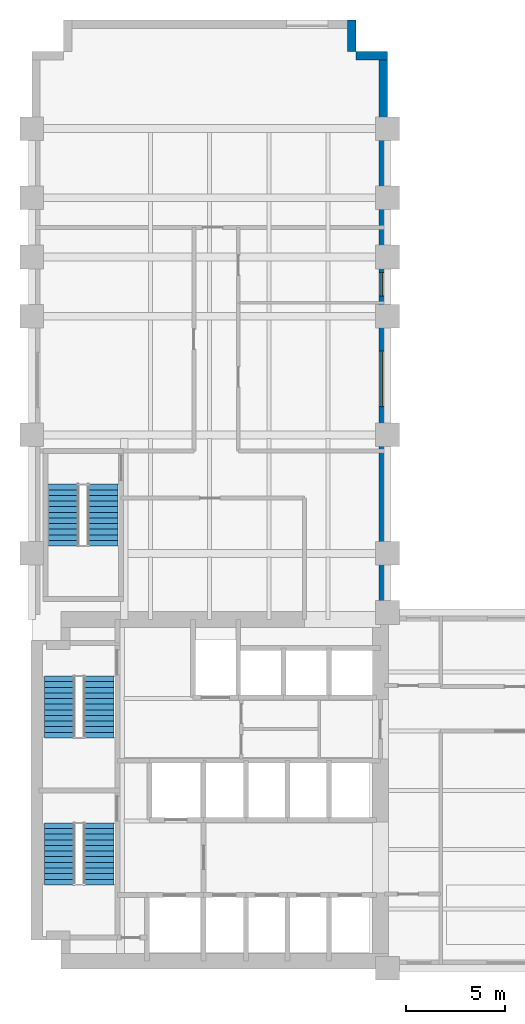
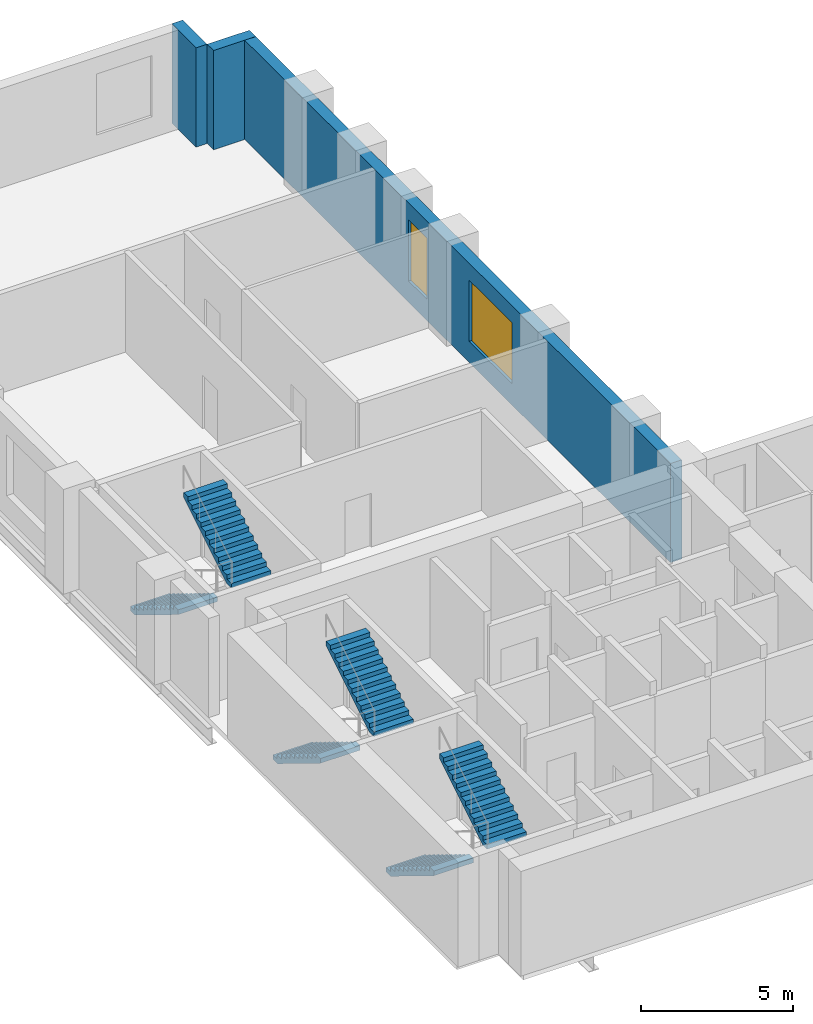
# One storey, part 6 of 7: 6 stair flights, 3 walls, 2 windows, 2 openings, 3 elements without a shape of their own.
"""IFC4 building model written with IfcOpenShell, lengths in metres."""

from ifc_helpers import new_model, si_unit, direction, frame, frame_2d, origin, place, context, subcontext, project, spatial, polyline, rectangle, outline, extrude, material, layer, layer_set, type_object, element, fill, aggregate, save


model = new_model("IFC4")

# Units and contexts
model_context = context("Model", 3, precision=1e-05, world=origin(), true_north=direction((0.0, 1.0)))
body_context = subcontext(model_context, "Body", "Model", "MODEL_VIEW")
ifc_project = project(units=[si_unit("LENGTHUNIT", "METRE"), si_unit("AREAUNIT", "SQUARE_METRE"), si_unit("VOLUMEUNIT", "CUBIC_METRE"), si_unit("PLANEANGLEUNIT", "RADIAN"), si_unit("MASSUNIT", "GRAM", prefix="KILO")], contexts=[model_context])

# Site, building, storey
site_placement = place(None, origin())
site = spatial("IfcSite", under=ifc_project, at=site_placement, CompositionType="ELEMENT")
building_placement = place(site_placement, origin())
building = spatial("IfcBuilding", under=site, at=building_placement, Name="Mawjdan Bourse Tower", CompositionType="ELEMENT")
storey_placement = place(building_placement, frame((0.0, 0.0, 67.800048828125)))
storey = spatial("IfcBuildingStorey", under=building, at=storey_placement, Name="L15", CompositionType="ELEMENT", Elevation=67.800048828125)

# Wall, openings, windows
ifc_material_1 = material(Name="Brick Masonry Buff", Category="masonry")
ifc_layer = layer(ifc_material_1, 0.419921875)
ifc_layer_set = layer_set([ifc_layer], Name="Brick Masonry Buff")
wall_type = type_object("IfcWallType", Name="WL-BRK-BUFF-420", PredefinedType="STANDARD", material=ifc_layer_set)
wall_placement = place(storey_placement, frame((23.7900390625, 21.0, 0.0), z_axis=(0.0, 0.0, 1.0), x_axis=(0.0, 1.0, 0.0)))
wall = element("IfcWall", 1, at=wall_placement, inside=storey, type_object=wall_type, Name="L15 Exterior Brick Wall 8", PredefinedType="STANDARD", context=body_context, shape_type="SweptSolid", body=[
    extrude(rectangle(XDim=28.39990234375, YDim=0.419921875, at=frame_2d((14.199951171875, 0.0))), origin(), (0.0, 0.0, 1.0), 3.97998046875),
])
opening_1_placement = place(wall_placement, frame((10.433349609375, 0.0, 0.85009765625)))
opening_1 = element("IfcOpeningElement", 2, at=opening_1_placement, cuts=wall, Name="Opening W-L15-04", PredefinedType="OPENING", context=body_context, shape_type="SweptSolid", body=[
    extrude(rectangle(XDim=2.800048828125, YDim=2.449951171875, at=frame_2d((1.39990234375, 1.22509765625))), frame((0.0, 0.219970703125, 0.0), z_axis=(0.0, -1.0, 0.0), x_axis=(1.0, 0.0, 0.0)), (0.0, 0.0, 1.0), 0.43994140625),
])
opening_2_placement = place(wall_placement, frame((16.01611328125, 0.0, 0.85009765625)))
opening_2 = element("IfcOpeningElement", 3, at=opening_2_placement, cuts=wall, Name="Opening W-L15-15", PredefinedType="OPENING", context=body_context, shape_type="SweptSolid", body=[
    extrude(rectangle(XDim=1.199951171875, YDim=2.449951171875, at=frame_2d((0.60009765625, 1.22509765625))), frame((0.0, 0.219970703125, 0.0), z_axis=(0.0, -1.0, 0.0), x_axis=(1.0, 0.0, 0.0)), (0.0, 0.0, 1.0), 0.43994140625),
])
ifc_material_2 = material(Name="Solar-Control Clear Double Glazing", Category="glass")
window_type_1 = type_object("IfcWindowType", Name="WN-TRD-1200", PartitioningType="SINGLE_PANEL", PredefinedType="WINDOW", material=ifc_material_2)
window_1_placement = place(opening_2_placement, origin())
window_1 = element("IfcWindow", 4, at=window_1_placement, inside=storey, type_object=window_type_1, Name="L15 Deep-Set Masonry Window W-L15-15", OverallHeight=2.449951171875, OverallWidth=1.199951171875, PartitioningType="SINGLE_PANEL", PredefinedType="WINDOW", context=body_context, shape_type="SweptSolid", body=[
    extrude(rectangle(XDim=1.199951171875, YDim=2.449951171875, at=frame_2d((0.60009765625, 1.22509765625))), frame((0.0, 0.110107421875, 0.0), z_axis=(0.0, -1.0, 0.0), x_axis=(1.0, 0.0, 0.0)), (0.0, 0.0, 1.0), 0.06005859375),
])
fill(opening_2, window_1)
window_type_2 = type_object("IfcWindowType", Name="WN-TRD-2800", PartitioningType="SINGLE_PANEL", PredefinedType="WINDOW", material=ifc_material_2)
window_2_placement = place(opening_1_placement, origin())
window_2 = element("IfcWindow", 5, at=window_2_placement, inside=storey, type_object=window_type_2, Name="L15 Deep-Set Masonry Window W-L15-04", OverallHeight=2.449951171875, OverallWidth=2.800048828125, PartitioningType="SINGLE_PANEL", PredefinedType="WINDOW", context=body_context, shape_type="SweptSolid", body=[
    extrude(rectangle(XDim=2.800048828125, YDim=2.449951171875, at=frame_2d((1.39990234375, 1.22509765625))), frame((0.0, 0.110107421875, 0.0), z_axis=(0.0, -1.0, 0.0), x_axis=(1.0, 0.0, 0.0)), (0.0, 0.0, 1.0), 0.06005859375),
])
fill(opening_1, window_2)

# Walls
for number, where, z_axis, x_axis, name in (
    (6, (24.0, 49.18994140625, 0.0), (0.0, 0.0, 1.0), (-1.0, 0.0, 0.0), "L15 Exterior Brick Wall 9"),
    (7, (22.18994140625, 49.39990234375, 0.0), (0.0, 0.0, 1.0), (0.0, 1.0, 0.0), "L15 Exterior Brick Wall 10"),
):
    element("IfcWall", number, at=place(storey_placement, frame(where, z_axis=z_axis, x_axis=x_axis)), inside=storey, type_object=wall_type, Name=name, PredefinedType="STANDARD", context=body_context, shape_type="SweptSolid", body=[
        extrude(rectangle(XDim=1.60009765625, YDim=0.419921875, at=frame_2d((0.800048828125, 0.0))), origin(), (0.0, 0.0, 1.0), 3.97998046875),
    ])

# Stair, stair flights
ifc_material_3 = material(Name="Concrete C50/60", Category="concrete")
stair_type = type_object("IfcStairType", Name="STR-CORE-1500", PredefinedType="HALF_TURN_STAIR", material=ifc_material_3)
stair_1_placement = place(storey_placement, origin())
stair_1 = element("IfcStair", 8, at=stair_1_placement, inside=storey, type_object=stair_type, Name="L15 Exit Stair 1 (Core South-West)", PredefinedType="HALF_TURN_STAIR")
stair_flight_type = type_object("IfcStairFlightType", Name="SFL-RC-1500", PredefinedType="STRAIGHT", material=ifc_material_3)
stair_flight_1_placement = place(storey_placement, frame((7.389892578125, 10.35009765625, 0.0), z_axis=(0.0, 0.0, 1.0), x_axis=(0.0, -1.0, 0.0)))
stair_flight_1 = element("IfcStairFlight", 9, at=stair_flight_1_placement, type_object=stair_flight_type, Name="ST1-L15 flight 1", NumberOfRisers=12, NumberOfTreads=11, PredefinedType="STRAIGHT", RiserHeight=0.175, TreadLength=0.285, context=body_context, shape_type="SweptSolid", body=[
    extrude(outline(polyline([(0.0, 0.0), (0.0, 0.175048828125), (0.284912109375, 0.175048828125), (0.284912109375, 0.35009765625), (0.570068359375, 0.35009765625), (0.570068359375, 0.52490234375), (0.85498046875, 0.52490234375), (0.85498046875, 0.699951171875), (1.139892578125, 0.699951171875), (1.139892578125, 0.875), (1.425048828125, 0.875), (1.425048828125, 1.050048828125), (1.7099609375, 1.050048828125), (1.7099609375, 1.22509765625), (1.9951171875, 1.22509765625), (1.9951171875, 1.39990234375), (2.280029296875, 1.39990234375), (2.280029296875, 1.574951171875), (2.56494140625, 1.574951171875), (2.56494140625, 1.75), (2.85009765625, 1.75), (2.85009765625, 1.925048828125), (3.135009765625, 1.925048828125), (3.135009765625, 2.10009765625), (3.135009765625, 1.7373046875), (0.3056640625, 0.0), (0.0, 0.0)])), frame((0.0, 0.75, 0.0), z_axis=(0.0, -1.0, 0.0), x_axis=(1.0, 0.0, 0.0)), (0.0, 0.0, 1.0), 1.5),
])
stair_flight_2_placement = place(storey_placement, frame((9.409912109375, 7.215087890625, 2.099853515625), z_axis=(0.0, 0.0, 1.0), x_axis=(0.0, 1.0, 0.0)))
stair_flight_2 = element("IfcStairFlight", 10, at=stair_flight_2_placement, type_object=stair_flight_type, Name="ST1-L15 flight 2", NumberOfRisers=12, NumberOfTreads=11, PredefinedType="STRAIGHT", RiserHeight=0.175, TreadLength=0.285, context=body_context, shape_type="SweptSolid", body=[
    extrude(outline(polyline([(0.0, 0.0), (0.0, 0.175048828125), (0.284912109375, 0.175048828125), (0.284912109375, 0.35009765625), (0.570068359375, 0.35009765625), (0.570068359375, 0.52490234375), (0.85498046875, 0.52490234375), (0.85498046875, 0.699951171875), (1.139892578125, 0.699951171875), (1.139892578125, 0.875), (1.425048828125, 0.875), (1.425048828125, 1.050048828125), (1.7099609375, 1.050048828125), (1.7099609375, 1.22509765625), (1.9951171875, 1.22509765625), (1.9951171875, 1.39990234375), (2.280029296875, 1.39990234375), (2.280029296875, 1.574951171875), (2.56494140625, 1.574951171875), (2.56494140625, 1.75), (2.85009765625, 1.75), (2.85009765625, 1.925048828125), (3.135009765625, 1.925048828125), (3.135009765625, 2.10009765625), (3.135009765625, 1.7373046875), (0.3056640625, 0.0), (0.0, 0.0)])), frame((0.0, 0.75, 0.0), z_axis=(0.0, -1.0, 0.0), x_axis=(1.0, 0.0, 0.0)), (0.0, 0.0, 1.0), 1.5),
])
aggregate(stair_1, [stair_flight_1, stair_flight_2])

stair_2_placement = place(storey_placement, origin())
stair_2 = element("IfcStair", 11, at=stair_2_placement, inside=storey, type_object=stair_type, Name="L15 Exit Stair 2 (Core North-West)", PredefinedType="HALF_TURN_STAIR")
stair_flight_3_placement = place(storey_placement, frame((7.389892578125, 17.7900390625, 0.0), z_axis=(0.0, 0.0, 1.0), x_axis=(0.0, -1.0, 0.0)))
stair_flight_3 = element("IfcStairFlight", 12, at=stair_flight_3_placement, type_object=stair_flight_type, Name="ST2-L15 flight 1", NumberOfRisers=12, NumberOfTreads=11, PredefinedType="STRAIGHT", RiserHeight=0.175, TreadLength=0.285, context=body_context, shape_type="SweptSolid", body=[
    extrude(outline(polyline([(0.0, 0.0), (0.0, 0.175048828125), (0.284912109375, 0.175048828125), (0.284912109375, 0.35009765625), (0.570068359375, 0.35009765625), (0.570068359375, 0.52490234375), (0.85498046875, 0.52490234375), (0.85498046875, 0.699951171875), (1.139892578125, 0.699951171875), (1.139892578125, 0.875), (1.425048828125, 0.875), (1.425048828125, 1.050048828125), (1.7099609375, 1.050048828125), (1.7099609375, 1.22509765625), (1.9951171875, 1.22509765625), (1.9951171875, 1.39990234375), (2.280029296875, 1.39990234375), (2.280029296875, 1.574951171875), (2.56494140625, 1.574951171875), (2.56494140625, 1.75), (2.85009765625, 1.75), (2.85009765625, 1.925048828125), (3.135009765625, 1.925048828125), (3.135009765625, 2.10009765625), (3.135009765625, 1.7373046875), (0.3056640625, 0.0), (0.0, 0.0)])), frame((0.0, 0.75, 0.0), z_axis=(0.0, -1.0, 0.0), x_axis=(1.0, 0.0, 0.0)), (0.0, 0.0, 1.0), 1.5),
])
stair_flight_4_placement = place(storey_placement, frame((9.409912109375, 14.655029296875, 2.099853515625), z_axis=(0.0, 0.0, 1.0), x_axis=(0.0, 1.0, 0.0)))
stair_flight_4 = element("IfcStairFlight", 13, at=stair_flight_4_placement, type_object=stair_flight_type, Name="ST2-L15 flight 2", NumberOfRisers=12, NumberOfTreads=11, PredefinedType="STRAIGHT", RiserHeight=0.175, TreadLength=0.285, context=body_context, shape_type="SweptSolid", body=[
    extrude(outline(polyline([(0.0, 0.0), (0.0, 0.175048828125), (0.284912109375, 0.175048828125), (0.284912109375, 0.35009765625), (0.570068359375, 0.35009765625), (0.570068359375, 0.52490234375), (0.85498046875, 0.52490234375), (0.85498046875, 0.699951171875), (1.139892578125, 0.699951171875), (1.139892578125, 0.875), (1.425048828125, 0.875), (1.425048828125, 1.050048828125), (1.7099609375, 1.050048828125), (1.7099609375, 1.22509765625), (1.9951171875, 1.22509765625), (1.9951171875, 1.39990234375), (2.280029296875, 1.39990234375), (2.280029296875, 1.574951171875), (2.56494140625, 1.574951171875), (2.56494140625, 1.75), (2.85009765625, 1.75), (2.85009765625, 1.925048828125), (3.135009765625, 1.925048828125), (3.135009765625, 2.10009765625), (3.135009765625, 1.7373046875), (0.3056640625, 0.0), (0.0, 0.0)])), frame((0.0, 0.75, 0.0), z_axis=(0.0, -1.0, 0.0), x_axis=(1.0, 0.0, 0.0)), (0.0, 0.0, 1.0), 1.5),
])
aggregate(stair_2, [stair_flight_3, stair_flight_4])

stair_3_placement = place(storey_placement, origin())
stair_3 = element("IfcStair", 14, at=stair_3_placement, inside=storey, type_object=stair_type, Name="L15 Exit Stair 3 (North Wing)", PredefinedType="HALF_TURN_STAIR")
stair_flight_5_placement = place(storey_placement, frame((7.590087890625, 27.5, 0.0), z_axis=(0.0, 0.0, 1.0), x_axis=(0.0, -1.0, 0.0)))
stair_flight_5 = element("IfcStairFlight", 15, at=stair_flight_5_placement, type_object=stair_flight_type, Name="ST3-L15 flight 1", NumberOfRisers=12, NumberOfTreads=11, PredefinedType="STRAIGHT", RiserHeight=0.175, TreadLength=0.285, context=body_context, shape_type="SweptSolid", body=[
    extrude(outline(polyline([(0.0, 0.0), (0.0, 0.175048828125), (0.284912109375, 0.175048828125), (0.284912109375, 0.35009765625), (0.570068359375, 0.35009765625), (0.570068359375, 0.52490234375), (0.85498046875, 0.52490234375), (0.85498046875, 0.699951171875), (1.139892578125, 0.699951171875), (1.139892578125, 0.875), (1.425048828125, 0.875), (1.425048828125, 1.050048828125), (1.7099609375, 1.050048828125), (1.7099609375, 1.22509765625), (1.9951171875, 1.22509765625), (1.9951171875, 1.39990234375), (2.280029296875, 1.39990234375), (2.280029296875, 1.574951171875), (2.56494140625, 1.574951171875), (2.56494140625, 1.75), (2.85009765625, 1.75), (2.85009765625, 1.925048828125), (3.135009765625, 1.925048828125), (3.135009765625, 2.10009765625), (3.135009765625, 1.7373046875), (0.3056640625, 0.0), (0.0, 0.0)])), frame((0.0, 0.75, 0.0), z_axis=(0.0, -1.0, 0.0), x_axis=(1.0, 0.0, 0.0)), (0.0, 0.0, 1.0), 1.5),
])
stair_flight_6_placement = place(storey_placement, frame((9.610107421875, 24.364990234375, 2.099853515625), z_axis=(0.0, 0.0, 1.0), x_axis=(0.0, 1.0, 0.0)))
stair_flight_6 = element("IfcStairFlight", 16, at=stair_flight_6_placement, type_object=stair_flight_type, Name="ST3-L15 flight 2", NumberOfRisers=12, NumberOfTreads=11, PredefinedType="STRAIGHT", RiserHeight=0.175, TreadLength=0.285, context=body_context, shape_type="SweptSolid", body=[
    extrude(outline(polyline([(0.0, 0.0), (0.0, 0.175048828125), (0.284912109375, 0.175048828125), (0.284912109375, 0.35009765625), (0.570068359375, 0.35009765625), (0.570068359375, 0.52490234375), (0.85498046875, 0.52490234375), (0.85498046875, 0.699951171875), (1.139892578125, 0.699951171875), (1.139892578125, 0.875), (1.425048828125, 0.875), (1.425048828125, 1.050048828125), (1.7099609375, 1.050048828125), (1.7099609375, 1.22509765625), (1.9951171875, 1.22509765625), (1.9951171875, 1.39990234375), (2.280029296875, 1.39990234375), (2.280029296875, 1.574951171875), (2.56494140625, 1.574951171875), (2.56494140625, 1.75), (2.85009765625, 1.75), (2.85009765625, 1.925048828125), (3.135009765625, 1.925048828125), (3.135009765625, 2.10009765625), (3.135009765625, 1.7373046875), (0.3056640625, 0.0), (0.0, 0.0)])), frame((0.0, 0.75, 0.0), z_axis=(0.0, -1.0, 0.0), x_axis=(1.0, 0.0, 0.0)), (0.0, 0.0, 1.0), 1.5),
])
aggregate(stair_3, [stair_flight_5, stair_flight_6])

save(model, "model.ifc")
